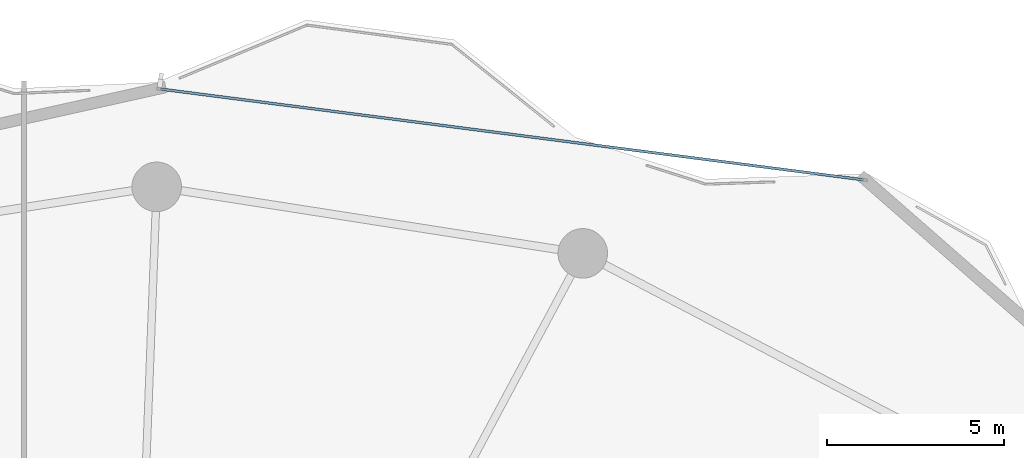
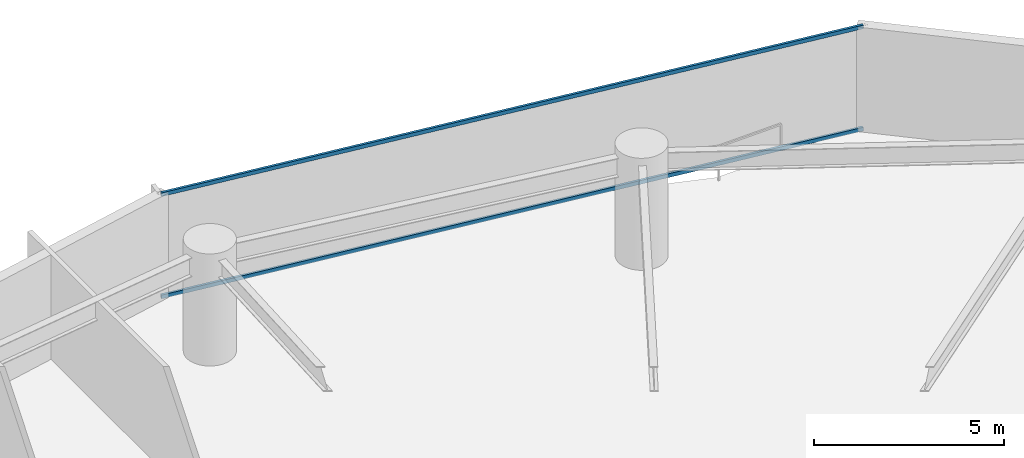
# One storey, part 21 of 31: 2 members, 1 element without a shape of its own.
"""IFC4 building model written with IfcOpenShell, lengths in metres."""

import ifcopenshell
import ifcopenshell.guid

model = None  # the IFC model being written
_history = None  # IfcOwnerHistory: only IFC2X3 demands one
_inside = {}  # id of a spatial element -> (the spatial element, [elements in it])
_under = {}  # id of a project, library or spatial element -> (it, [spatial elements below it])
_declared = {}  # id of a project -> (the project, [libraries it declares])
_typed = {}  # id of a type object -> (the type object, [elements of that type])
_made_of = {}  # id of a material, layer set ... -> (it, [elements and type objects made of it])


def new_model(schema):
    """Start an empty IFC model of exactly this schema.

    Asked for "IFC4X3", IfcOpenShell would pick the latest addendum, in which some entities
    have other attributes; the version numbers below select the first issue.
    IFC2X3 requires an IfcOwnerHistory on every rooted entity: one is made here for all.
    """
    global model, _history
    if schema == "IFC4X3":
        model = ifcopenshell.file(schema_version=(4, 3, 0, 0))
    else:
        model = ifcopenshell.file(schema=schema)
    _inside.clear()
    _under.clear()
    _declared.clear()
    _typed.clear()
    _made_of.clear()
    _history = None
    if model.schema == "IFC2X3":
        org = make("IfcOrganization", Name="unknown")
        user = make(
            "IfcPersonAndOrganization",
            ThePerson=make("IfcPerson", FamilyName="unknown"),
            TheOrganization=org,
        )
        app = make(
            "IfcApplication",
            ApplicationDeveloper=org,
            Version="unknown",
            ApplicationFullName="unknown",
            ApplicationIdentifier="unknown",
        )
        _history = make(
            "IfcOwnerHistory",
            OwningUser=user,
            OwningApplication=app,
            ChangeAction="ADDED",
            CreationDate=0,
        )
    return model


def make(cls, **values):
    """One entity of the class cls with the attributes given. An attribute that is None is left unset."""
    return model.create_entity(
        cls, **{name: value for name, value in values.items() if value is not None}
    )


def rooted(cls, **values):
    """An entity with a GlobalId (a new one), such as an element, a storey or a relation."""
    return make(cls, GlobalId=ifcopenshell.guid.new(), OwnerHistory=_history, **values)


def si_unit(unit_type, name, prefix=None):
    """IfcSIUnit, for example si_unit("LENGTHUNIT", "METRE", prefix="MILLI")."""
    return make("IfcSIUnit", UnitType=unit_type, Prefix=prefix, Name=name)


def assignment(units):
    """IfcUnitAssignment: the units of a project."""
    return None if units is None else make("IfcUnitAssignment", Units=units)


def point(xyz):
    """IfcCartesianPoint."""
    return None if xyz is None else make("IfcCartesianPoint", Coordinates=xyz)


def direction(xyz):
    """IfcDirection."""
    return None if xyz is None else make("IfcDirection", DirectionRatios=xyz)


def frame(location, z_axis=None, x_axis=None):
    """IfcAxis2Placement3D, a coordinate frame: its origin and axes. An axis left out is left unset."""
    return make(
        "IfcAxis2Placement3D",
        Location=point(location),
        Axis=direction(z_axis),
        RefDirection=direction(x_axis),
    )


def frame_2d(location, x_axis=None):
    """IfcAxis2Placement2D, a coordinate frame in the plane: its origin and x axis."""
    return make(
        "IfcAxis2Placement2D", Location=point(location), RefDirection=direction(x_axis)
    )


def origin():
    """The frame at (0, 0, 0) with its axes left unset."""
    return frame((0.0, 0.0, 0.0))


def origin_2d():
    """The frame at (0, 0) in the plane with its x axis left unset."""
    return frame_2d((0.0, 0.0))


def place(relative_to, where):
    """IfcLocalPlacement: puts the frame where relative to a parent placement (None: the world)."""
    return make(
        "IfcLocalPlacement", PlacementRelTo=relative_to, RelativePlacement=where
    )


def context(
    kind, dimensions, precision=None, world=None, true_north=None, identifier=None
):
    """IfcGeometricRepresentationContext, for example the 3D "Model" context."""
    return make(
        "IfcGeometricRepresentationContext",
        ContextIdentifier=identifier,
        ContextType=kind,
        CoordinateSpaceDimension=dimensions,
        Precision=precision,
        WorldCoordinateSystem=world,
        TrueNorth=true_north,
    )


def subcontext(parent, identifier, kind, view, scale=None):
    """IfcGeometricRepresentationSubContext, for example "Body" below "Model"."""
    return make(
        "IfcGeometricRepresentationSubContext",
        ContextIdentifier=identifier,
        ContextType=kind,
        ParentContext=parent,
        TargetScale=scale,
        TargetView=view,
    )


def project(units=None, contexts=None):
    """IfcProject with its units and contexts."""
    return rooted(
        "IfcProject",
        Name="project",
        RepresentationContexts=contexts,
        UnitsInContext=assignment(units),
    )


def spatial(cls, under=None, at=None, **own):
    """A site, building, storey or space (cls), placed at a placement, below another one or the project."""
    s = rooted(cls, ObjectPlacement=at, **own)
    if under is not None:
        _under.setdefault(under.id(), (under, []))[1].append(s)
    return s


def profile(cls, at=None, kind="AREA", **sizes):
    """A parametric profile (cls). Its sizes go by their IFC names, for example OverallWidth=200.0."""
    return make(cls, ProfileType=kind, Position=at, **sizes)


def hollow_rectangle(**sizes):
    """IfcRectangleHollowProfileDef."""
    return profile("IfcRectangleHollowProfileDef", **sizes)


def extrude(swept, where, along, depth):
    """IfcExtrudedAreaSolid: the profile swept, set in the frame where, extruded along a direction by depth."""
    return make(
        "IfcExtrudedAreaSolid",
        SweptArea=swept,
        Position=where,
        ExtrudedDirection=direction(along),
        Depth=depth,
    )


def shape(context_of_items, identifier, shape_type, items):
    """IfcShapeRepresentation: the items that make up one representation, for example the "Body"."""
    return make(
        "IfcShapeRepresentation",
        ContextOfItems=context_of_items,
        RepresentationIdentifier=identifier,
        RepresentationType=shape_type,
        Items=items,
    )


def material(Name=None, Category=None):
    """IfcMaterial."""
    return make("IfcMaterial", Name=Name, Category=Category)


def layer(
    of_material, thickness, ventilated=None, Name=None, Category=None, Priority=None
):
    """IfcMaterialLayer: one layer of a wall or slab, of a material (None: an air gap)."""
    return make(
        "IfcMaterialLayer",
        Material=of_material,
        LayerThickness=thickness,
        IsVentilated=ventilated,
        Name=Name,
        Category=Category,
        Priority=Priority,
    )


def layer_set(layers, Name=None):
    """IfcMaterialLayerSet."""
    return make("IfcMaterialLayerSet", MaterialLayers=layers, LayerSetName=Name)


def material_profile(
    of_material, cross_section, Name=None, Category=None, Priority=None
):
    """IfcMaterialProfile: a cross section and its material."""
    return make(
        "IfcMaterialProfile",
        Name=Name,
        Material=of_material,
        Profile=cross_section,
        Priority=Priority,
        Category=Category,
    )


def profile_set(profiles, Name=None, composite=None):
    """IfcMaterialProfileSet."""
    return make(
        "IfcMaterialProfileSet",
        Name=Name,
        MaterialProfiles=profiles,
        CompositeProfile=composite,
    )


def made_of(thing, what):
    """Note that an element or type object is made of a material, layer set ...; save() writes the relation."""
    if what is not None:
        _made_of.setdefault(what.id(), (what, []))[1].append(thing)
    return thing


def type_object(cls, material=None, **own):
    """A type object (cls), such as IfcWallType, which elements share."""
    return made_of(rooted(cls, **own), material)


def element(
    cls,
    number,
    at=None,
    inside=None,
    cuts=None,
    type_object=None,
    material=None,
    context=None,
    identifier="Body",
    shape_type=None,
    held_by="IfcProductDefinitionShape",
    body=None,
    shapes=None,
    **own,
):
    """One element of the class cls, such as IfcWall. Its Tag is "e" and its number.

    at: its placement. inside: the storey or other place that contains it. cuts: it is an
    opening in that element (IfcRelVoidsElement). A single representation is given by context,
    identifier, shape_type and body (its items); several are given by shapes. held_by: the class
    of the entity that holds the representations. save() writes the other relations.
    """
    e = rooted(cls, Tag="e%d" % number, ObjectPlacement=at, **own)
    if body is not None:
        shapes = [shape(context, identifier, shape_type, body)]
    if shapes is not None:
        e.Representation = make(held_by, Representations=shapes)
    if inside is not None:
        _inside.setdefault(inside.id(), (inside, []))[1].append(e)
    if cuts is not None:
        rooted(
            "IfcRelVoidsElement", RelatingBuildingElement=cuts, RelatedOpeningElement=e
        )
    if type_object is not None:
        _typed.setdefault(type_object.id(), (type_object, []))[1].append(e)
    return made_of(e, material)


def aggregate(whole, parts):
    """IfcRelAggregates: a whole, such as a stair, and the parts it consists of."""
    return rooted("IfcRelAggregates", RelatingObject=whole, RelatedObjects=parts)


def save(model, path):
    """Write the relations noted so far, then the file.

    IfcRelAggregates (storeys below a building ...), IfcRelContainedInSpatialStructure (elements
    in a storey), IfcRelDefinesByType, IfcRelAssociatesMaterial and IfcRelDeclares: one each for
    every whole, place, type object, material and project.
    """
    for whole, parts in _under.values():
        aggregate(whole, parts)
    for where, things in _inside.values():
        rooted(
            "IfcRelContainedInSpatialStructure",
            RelatedElements=things,
            RelatingStructure=where,
        )
    for kind, things in _typed.values():
        rooted("IfcRelDefinesByType", RelatedObjects=things, RelatingType=kind)
    for what, things in _made_of.values():
        rooted("IfcRelAssociatesMaterial", RelatedObjects=things, RelatingMaterial=what)
    for by, libraries in _declared.values():
        rooted("IfcRelDeclares", RelatingContext=by, RelatedDefinitions=libraries)
    model.write(path)


model = new_model("IFC4")

# Units and contexts
model_context = context("Model", 3, precision=1e-05, world=origin(), true_north=direction((0.0, 1.0)))
body_context = subcontext(model_context, "Body", "Model", "MODEL_VIEW")
ifc_project = project(units=[si_unit("LENGTHUNIT", "METRE"), si_unit("AREAUNIT", "SQUARE_METRE"), si_unit("VOLUMEUNIT", "CUBIC_METRE"), si_unit("PLANEANGLEUNIT", "RADIAN"), si_unit("MASSUNIT", "GRAM", prefix="KILO")], contexts=[model_context])

# Site, building, storey
site_placement = place(None, origin())
site = spatial("IfcSite", under=ifc_project, at=site_placement, CompositionType="ELEMENT")
building_placement = place(site_placement, origin())
building = spatial("IfcBuilding", under=site, at=building_placement, Name="Kazevale Care Tower and Concert Hall", CompositionType="ELEMENT")
storey_placement = place(building_placement, frame((0.0, 0.0, 56.39990234375)))
storey = spatial("IfcBuildingStorey", under=building, at=storey_placement, Name="L14", CompositionType="ELEMENT", Elevation=56.39990234375)

# Curtain wall, members
ifc_material_1 = material(Name="Aluminium 6063-T6 and Low-E Glass", Category="aluminium")
ifc_layer = layer(ifc_material_1, 0.179931640625)
ifc_layer_set = layer_set([ifc_layer], Name="Aluminium 6063-T6 and Low-E Glass")
curtain_wall_type = type_object("IfcCurtainWallType", Name="Convex Recessed Sunroom Curtain Wall CW-3", PredefinedType="NOTDEFINED", material=ifc_layer_set)
curtain_wall_placement = place(storey_placement, origin())
curtain_wall = element("IfcCurtainWall", 1, at=curtain_wall_placement, inside=storey, type_object=curtain_wall_type, Name="cw:L14:f16", PredefinedType="NOTDEFINED")
ifc_material_2 = material(Name="Aluminium 6063-T6", Category="aluminium")
ifc_material_profile = material_profile(ifc_material_2, hollow_rectangle(XDim=0.074951171875, YDim=0.1201171875, WallThickness=0.00390625, at=origin_2d()), Name="ALU75x120x4")
ifc_profile_set = profile_set([ifc_material_profile], Name="Aluminium 6063-T6")
member_type = type_object("IfcMemberType", Name="CW-3 Transom ALU75x120x4", PredefinedType="USERDEFINED", material=ifc_profile_set)
member_1_placement = place(storey_placement, frame((45.114501953125, 65.412353515625, 0.03759765625), z_axis=(0.991763328336, -0.128083959056, 0.0), x_axis=(0.128083959056, 0.991763328336, 0.0)))
member_1 = element("IfcMember", 2, at=member_1_placement, type_object=member_type, Name="CW-3 transom 1.1", ObjectType="TRANSOM", PredefinedType="USERDEFINED", context=body_context, shape_type="SweptSolid", body=[
    extrude(hollow_rectangle(XDim=0.074951171875, YDim=0.1201171875, WallThickness=0.00390625, at=origin_2d()), origin(), (0.0, 0.0, 1.0), 20.015869140625),
])
member_2_placement = place(storey_placement, frame((45.114501953125, 65.412353515625, 3.322509765625), z_axis=(0.991763328336, -0.128083959056, 0.0), x_axis=(0.128083959056, 0.991763328336, 0.0)))
member_2 = element("IfcMember", 3, at=member_2_placement, type_object=member_type, Name="CW-3 transom 1.2", ObjectType="TRANSOM", PredefinedType="USERDEFINED", context=body_context, shape_type="SweptSolid", body=[
    extrude(hollow_rectangle(XDim=0.074951171875, YDim=0.1201171875, WallThickness=0.00390625, at=origin_2d()), origin(), (0.0, 0.0, 1.0), 20.015869140625),
])
aggregate(curtain_wall, [member_1, member_2])

save(model, "model.ifc")
